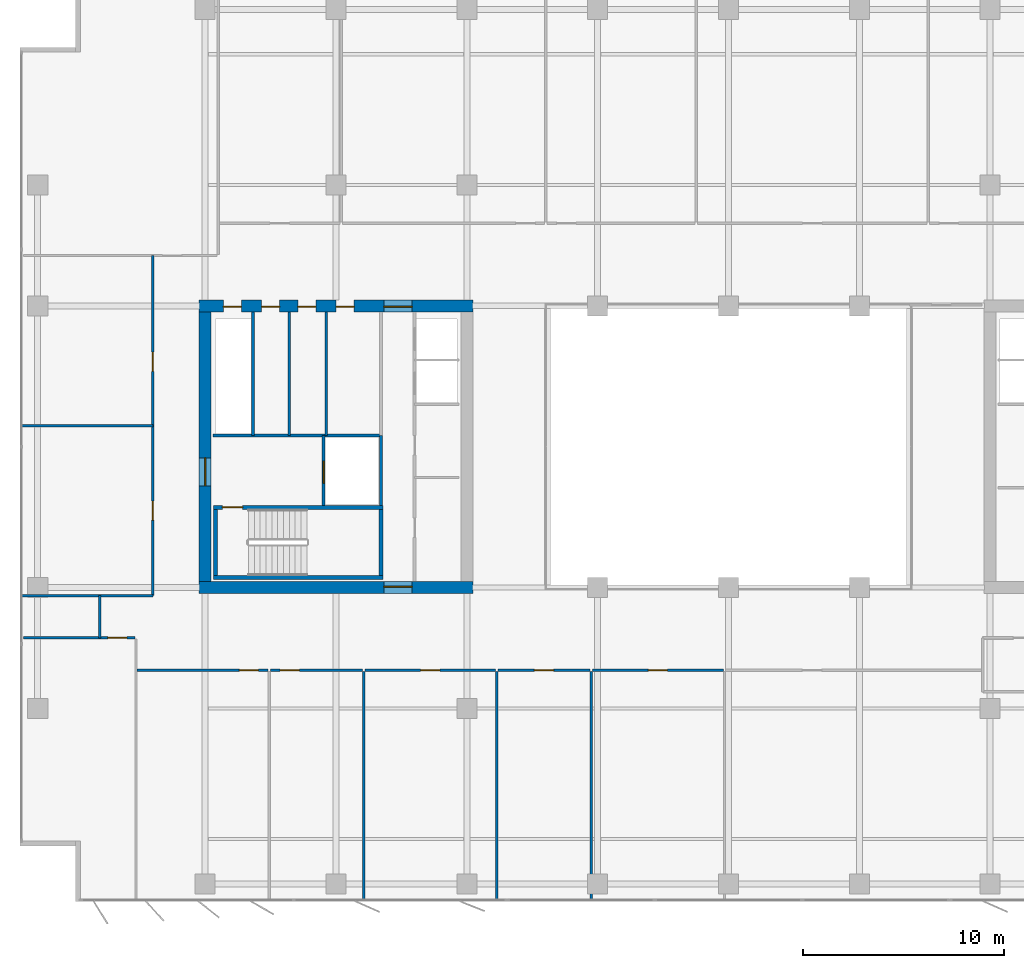
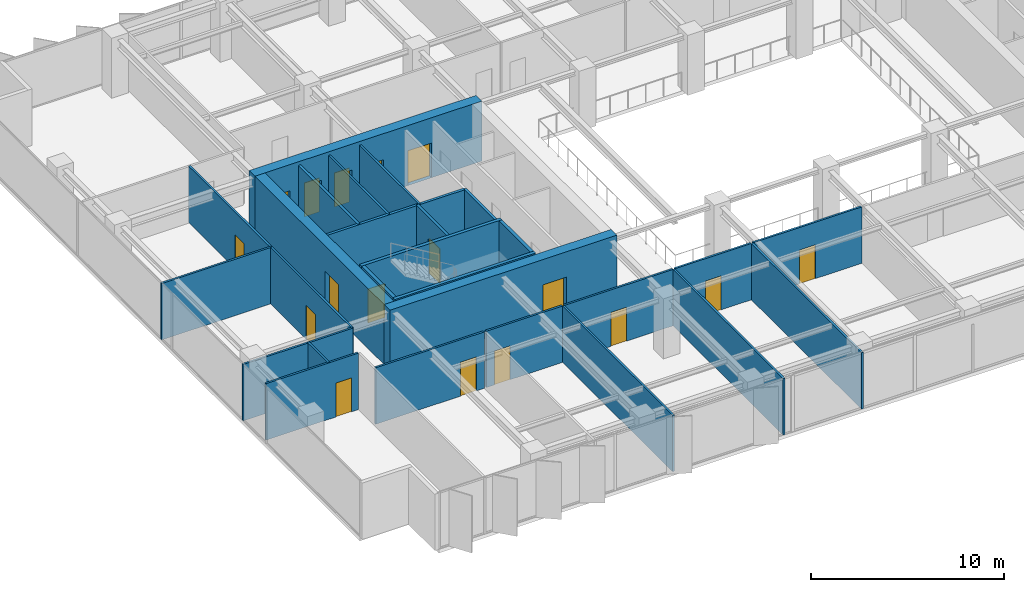
# One storey, part 15 of 22: 27 walls, 17 doors, 17 openings.
"""IFC4 building model written with IfcOpenShell, lengths in metres."""

from ifc_helpers import new_model, si_unit, direction, frame, frame_2d, origin, place, context, subcontext, project, spatial, rectangle, extrude, material, layer, layer_set, type_object, element, fill, save


model = new_model("IFC4")

# Units and contexts
model_context = context("Model", 3, precision=1e-05, world=origin(), true_north=direction((0.0, 1.0)))
body_context = subcontext(model_context, "Body", "Model", "MODEL_VIEW")
ifc_project = project(units=[si_unit("LENGTHUNIT", "METRE"), si_unit("AREAUNIT", "SQUARE_METRE"), si_unit("VOLUMEUNIT", "CUBIC_METRE"), si_unit("PLANEANGLEUNIT", "RADIAN"), si_unit("MASSUNIT", "GRAM", prefix="KILO")], contexts=[model_context])

# Site, building, storey
site_placement = place(None, origin())
site = spatial("IfcSite", under=ifc_project, at=site_placement, CompositionType="ELEMENT")
building_placement = place(site_placement, origin())
building = spatial("IfcBuilding", under=site, at=building_placement, Name="Putna Gate Headquarters", CompositionType="ELEMENT")
storey_placement = place(building_placement, frame((0.0, 0.0, 174.60009765625)))
storey = spatial("IfcBuildingStorey", under=building, at=storey_placement, Name="L43", CompositionType="ELEMENT", Elevation=174.60009765625)

# Wall, opening, door
ifc_material_1 = material(Name="Concrete C50/60", Category="concrete")
ifc_layer_1 = layer(ifc_material_1, 0.60009765625)
ifc_layer_set_1 = layer_set([ifc_layer_1], Name="Concrete C50/60")
wall_type_1 = type_object("IfcWallType", Name="WALL-CORE-600", PredefinedType="SHEAR", material=ifc_layer_set_1)
wall_1_placement = place(storey_placement, frame((12.699951171875, 19.0, 0.0), z_axis=(0.0, 0.0, 1.0), x_axis=(1.0, 0.0, 0.0)))
wall_1 = element("IfcWall", 1, at=wall_1_placement, inside=storey, type_object=wall_type_1, Name="L43 WC Split Core Shear Wall S", PredefinedType="SHEAR", context=body_context, shape_type="SweptSolid", body=[
    extrude(rectangle(XDim=13.60009765625, YDim=0.60009765625, at=frame_2d((6.800048828125, 0.0))), origin(), (0.0, 0.0, 1.0), 3.7998046875),
])
opening_1_placement = place(wall_1_placement, frame((9.179931640625, 0.0, 0.0)))
opening_1 = element("IfcOpeningElement", 2, at=opening_1_placement, cuts=wall_1, Name="Opening FDD-140", PredefinedType="OPENING", context=body_context, shape_type="SweptSolid", body=[
    extrude(rectangle(XDim=1.39990234375, YDim=2.199951171875, at=frame_2d((0.699951171875, 1.10009765625))), frame((0.0, 0.31005859375, 0.0), z_axis=(0.0, -1.0, 0.0), x_axis=(1.0, 0.0, 0.0)), (0.0, 0.0, 1.0), 0.6201171875),
])
ifc_material_2 = material(Name="Double steel fire door", Category="steel")
door_type_1 = type_object("IfcDoorType", Name="DOOR-FIRE-DBL-1400", OperationType="DOUBLE_DOOR_SINGLE_SWING", PredefinedType="DOOR", material=ifc_material_2)
door_1_placement = place(opening_1_placement, origin())
door_1 = element("IfcDoor", 3, at=door_1_placement, inside=storey, type_object=door_type_1, Name="L43 West Lift Lobby South Door", OperationType="DOUBLE_DOOR_SINGLE_SWING", OverallHeight=2.199951171875, OverallWidth=1.39990234375, PredefinedType="DOOR", context=body_context, shape_type="SweptSolid", body=[
    extrude(rectangle(XDim=1.39990234375, YDim=2.199951171875, at=frame_2d((0.699951171875, 1.10009765625))), frame((0.0, 0.0751953125, 0.0), z_axis=(0.0, -1.0, 0.0), x_axis=(1.0, 0.0, 0.0)), (0.0, 0.0, 1.0), 0.050048828125),
])
fill(opening_1, door_1)

# Wall, openings, doors
wall_2_placement = place(storey_placement, frame((12.699951171875, 33.0, 0.0), z_axis=(0.0, 0.0, 1.0), x_axis=(1.0, 0.0, 0.0)))
wall_2 = element("IfcWall", 4, at=wall_2_placement, inside=storey, type_object=wall_type_1, Name="L43 WC Split Core Shear Wall N", PredefinedType="SHEAR", context=body_context, shape_type="SweptSolid", body=[
    extrude(rectangle(XDim=13.60009765625, YDim=0.60009765625, at=frame_2d((6.800048828125, 0.0))), origin(), (0.0, 0.0, 1.0), 3.7998046875),
])
opening_2_placement = place(wall_2_placement, frame((1.199951171875, 0.0, 0.0)))
opening_2 = element("IfcOpeningElement", 5, at=opening_2_placement, cuts=wall_2, Name="Opening RD-90", PredefinedType="OPENING", context=body_context, shape_type="SweptSolid", body=[
    extrude(rectangle(XDim=0.89990234375, YDim=2.14990234375, at=frame_2d((0.449951171875, 1.074951171875))), frame((0.0, 0.31005859375, 0.0), z_axis=(0.0, -1.0, 0.0), x_axis=(1.0, 0.0, 0.0)), (0.0, 0.0, 1.0), 0.6201171875),
])
opening_3_placement = place(wall_2_placement, frame((3.10009765625, 0.0, 0.0)))
opening_3 = element("IfcOpeningElement", 6, at=opening_3_placement, cuts=wall_2, Name="Opening IDS-90", PredefinedType="OPENING", context=body_context, shape_type="SweptSolid", body=[
    extrude(rectangle(XDim=0.89990234375, YDim=2.14990234375, at=frame_2d((0.449951171875, 1.074951171875))), frame((0.0, 0.31005859375, 0.0), z_axis=(0.0, -1.0, 0.0), x_axis=(1.0, 0.0, 0.0)), (0.0, 0.0, 1.0), 0.6201171875),
])
opening_4_placement = place(wall_2_placement, frame((4.89990234375, 0.0, 0.0)))
opening_4 = element("IfcOpeningElement", 7, at=opening_4_placement, cuts=wall_2, Name="Opening IDS-90", PredefinedType="OPENING", context=body_context, shape_type="SweptSolid", body=[
    extrude(rectangle(XDim=0.89990234375, YDim=2.14990234375, at=frame_2d((0.449951171875, 1.074951171875))), frame((0.0, 0.31005859375, 0.0), z_axis=(0.0, -1.0, 0.0), x_axis=(1.0, 0.0, 0.0)), (0.0, 0.0, 1.0), 0.6201171875),
])
opening_5_placement = place(wall_2_placement, frame((6.800048828125, 0.0, 0.0)))
opening_5 = element("IfcOpeningElement", 8, at=opening_5_placement, cuts=wall_2, Name="Opening IDS-90", PredefinedType="OPENING", context=body_context, shape_type="SweptSolid", body=[
    extrude(rectangle(XDim=0.89990234375, YDim=2.14990234375, at=frame_2d((0.449951171875, 1.074951171875))), frame((0.0, 0.31005859375, 0.0), z_axis=(0.0, -1.0, 0.0), x_axis=(1.0, 0.0, 0.0)), (0.0, 0.0, 1.0), 0.6201171875),
])
opening_6_placement = place(wall_2_placement, frame((9.179931640625, 0.0, 0.0)))
opening_6 = element("IfcOpeningElement", 9, at=opening_6_placement, cuts=wall_2, Name="Opening FDD-140", PredefinedType="OPENING", context=body_context, shape_type="SweptSolid", body=[
    extrude(rectangle(XDim=1.39990234375, YDim=2.199951171875, at=frame_2d((0.699951171875, 1.10009765625))), frame((0.0, 0.31005859375, 0.0), z_axis=(0.0, -1.0, 0.0), x_axis=(1.0, 0.0, 0.0)), (0.0, 0.0, 1.0), 0.6201171875),
])
door_2_placement = place(opening_6_placement, origin())
door_2 = element("IfcDoor", 10, at=door_2_placement, inside=storey, type_object=door_type_1, Name="L43 West Lift Lobby North Door", OperationType="DOUBLE_DOOR_SINGLE_SWING", OverallHeight=2.199951171875, OverallWidth=1.39990234375, PredefinedType="DOOR", context=body_context, shape_type="SweptSolid", body=[
    extrude(rectangle(XDim=1.39990234375, YDim=2.199951171875, at=frame_2d((0.699951171875, 1.10009765625))), frame((0.0, -0.02490234375, 0.0), z_axis=(0.0, -1.0, 0.0), x_axis=(1.0, 0.0, 0.0)), (0.0, 0.0, 1.0), 0.050048828125),
])
fill(opening_6, door_2)
ifc_material_3 = material(Name="Fire-rated utility door")
door_type_2 = type_object("IfcDoorType", Name="DOOR-INT-900", OperationType="NOTDEFINED", PredefinedType="DOOR", material=ifc_material_3)
door_3_placement = place(opening_3_placement, origin())
door_3 = element("IfcDoor", 11, at=door_3_placement, inside=storey, type_object=door_type_2, Name="L43 Janitor Cupboard Door", OperationType="SINGLE_SWING_LEFT", OverallHeight=2.14990234375, OverallWidth=0.89990234375, PredefinedType="DOOR", context=body_context, shape_type="SweptSolid", body=[
    extrude(rectangle(XDim=0.89990234375, YDim=2.14990234375, at=frame_2d((0.449951171875, 1.074951171875))), frame((0.0, -0.02490234375, 0.0), z_axis=(0.0, -1.0, 0.0), x_axis=(1.0, 0.0, 0.0)), (0.0, 0.0, 1.0), 0.050048828125),
])
fill(opening_3, door_3)
door_4_placement = place(opening_4_placement, origin())
door_4 = element("IfcDoor", 12, at=door_4_placement, inside=storey, type_object=door_type_2, Name="L43 IT Patch Plant Door", OperationType="SINGLE_SWING_RIGHT", OverallHeight=2.14990234375, OverallWidth=0.89990234375, PredefinedType="DOOR", context=body_context, shape_type="SweptSolid", body=[
    extrude(rectangle(XDim=0.89990234375, YDim=2.14990234375, at=frame_2d((0.449951171875, 1.074951171875))), frame((0.0, -0.02490234375, 0.0), z_axis=(0.0, -1.0, 0.0), x_axis=(1.0, 0.0, 0.0)), (0.0, 0.0, 1.0), 0.050048828125),
])
fill(opening_4, door_4)
door_5_placement = place(opening_5_placement, origin())
door_5 = element("IfcDoor", 13, at=door_5_placement, inside=storey, type_object=door_type_2, Name="L43 Building Records Store Door", OperationType="SINGLE_SWING_LEFT", OverallHeight=2.14990234375, OverallWidth=0.89990234375, PredefinedType="DOOR", context=body_context, shape_type="SweptSolid", body=[
    extrude(rectangle(XDim=0.89990234375, YDim=2.14990234375, at=frame_2d((0.449951171875, 1.074951171875))), frame((0.0, -0.02490234375, 0.0), z_axis=(0.0, -1.0, 0.0), x_axis=(1.0, 0.0, 0.0)), (0.0, 0.0, 1.0), 0.050048828125),
])
fill(opening_5, door_5)
ifc_material_4 = material(Name="Steel riser access fire door", Category="steel")
door_type_3 = type_object("IfcDoorType", Name="DOOR-RISER-900", OperationType="NOTDEFINED", PredefinedType="DOOR", material=ifc_material_4)
door_6_placement = place(opening_2_placement, origin())
door_6 = element("IfcDoor", 14, at=door_6_placement, inside=storey, type_object=door_type_3, Name="L43 West Riser Access Door", OperationType="SINGLE_SWING_RIGHT", OverallHeight=2.14990234375, OverallWidth=0.89990234375, PredefinedType="DOOR", context=body_context, shape_type="SweptSolid", body=[
    extrude(rectangle(XDim=0.89990234375, YDim=2.14990234375, at=frame_2d((0.449951171875, 1.074951171875))), frame((0.0, -0.02490234375, 0.0), z_axis=(0.0, -1.0, 0.0), x_axis=(1.0, 0.0, 0.0)), (0.0, 0.0, 1.0), 0.050048828125),
])
fill(opening_2, door_6)

# Wall, opening, door
wall_3_placement = place(storey_placement, frame((13.0, 19.300048828125, 0.0), z_axis=(0.0, 0.0, 1.0), x_axis=(0.0, 1.0, 0.0)))
wall_3 = element("IfcWall", 15, at=wall_3_placement, inside=storey, type_object=wall_type_1, Name="L43 WC Split Core Shear Wall W", PredefinedType="SHEAR", context=body_context, shape_type="SweptSolid", body=[
    extrude(rectangle(XDim=13.39990234375, YDim=0.60009765625, at=frame_2d((6.699951171875, 0.0))), origin(), (0.0, 0.0, 1.0), 3.7998046875),
])
opening_7_placement = place(wall_3_placement, frame((4.75, 0.0, 0.0)))
opening_7 = element("IfcOpeningElement", 16, at=opening_7_placement, cuts=wall_3, Name="Opening FDD-140", PredefinedType="OPENING", context=body_context, shape_type="SweptSolid", body=[
    extrude(rectangle(XDim=1.39990234375, YDim=2.199951171875, at=frame_2d((0.699951171875, 1.10009765625))), frame((0.0, 0.31005859375, 0.0), z_axis=(0.0, -1.0, 0.0), x_axis=(1.0, 0.0, 0.0)), (0.0, 0.0, 1.0), 0.6201171875),
])
door_7_placement = place(opening_7_placement, origin())
door_7 = element("IfcDoor", 17, at=door_7_placement, inside=storey, type_object=door_type_1, Name="L43 West Firefighting Lobby Door", OperationType="DOUBLE_DOOR_SINGLE_SWING", OverallHeight=2.199951171875, OverallWidth=1.39990234375, PredefinedType="DOOR", context=body_context, shape_type="SweptSolid", body=[
    extrude(rectangle(XDim=1.39990234375, YDim=2.199951171875, at=frame_2d((0.699951171875, 1.10009765625))), frame((0.0, 0.02490234375, 0.0), z_axis=(0.0, -1.0, 0.0), x_axis=(1.0, 0.0, 0.0)), (0.0, 0.0, 1.0), 0.050048828125),
])
fill(opening_7, door_7)

# Walls
ifc_material_5 = material(Name="Acoustic gypsum board on metal stud")
ifc_layer_2 = layer(ifc_material_5, 0.1201171875)
ifc_layer_set_2 = layer_set([ifc_layer_2], Name="Acoustic gypsum board on metal stud")
wall_type_2 = type_object("IfcWallType", Name="WALL-PART-120", PredefinedType="PARTITIONING", material=ifc_layer_set_2)
for number, where, z_axis, x_axis, name in (
    (18, (20.872802734375, 3.419921875, 0.0), (0.0, 0.0, 1.0), (0.0, 1.0, 0.0), "L43 Interior Wall PART-L43-SB-DIV-03"),
    (19, (27.4921875, 3.419921875, 0.0), (0.0, 0.0, 1.0), (0.0, 1.0, 0.0), "L43 Interior Wall PART-L43-SB-DIV-04"),
    (20, (32.180908203125, 3.419921875, 0.0), (0.0, 0.0, 1.0), (0.0, 1.0, 0.0), "L43 Interior Wall PART-L43-SB-DIV-05"),
):
    element("IfcWall", number, at=place(storey_placement, frame(where, z_axis=z_axis, x_axis=x_axis)), inside=storey, type_object=wall_type_2, Name=name, PredefinedType="PARTITIONING", context=body_context, shape_type="SweptSolid", body=[
        extrude(rectangle(XDim=11.420166015625, YDim=0.1201171875, at=frame_2d((5.7099609375, 0.0))), origin(), (0.0, 0.0, 1.0), 3.572021484375),
    ])
wall_4_placement = place(storey_placement, frame((3.820068359375, 27.050048828125, 0.0), z_axis=(0.0, 0.0, 1.0), x_axis=(1.0, 0.0, 0.0)))
element("IfcWall", 21, at=wall_4_placement, inside=storey, type_object=wall_type_2, Name="L43 Interior Wall PART-L43-WW-DIV-1", PredefinedType="PARTITIONING", context=body_context, shape_type="SweptSolid", body=[
    extrude(rectangle(XDim=6.579833984375, YDim=0.1201171875, at=frame_2d((3.2900390625, 0.0))), origin(), (0.0, 0.0, 1.0), 3.572021484375),
])
ifc_material_6 = material(Name="Fire-rated gypsum board on metal stud")
ifc_layer_3 = layer(ifc_material_6, 0.1201171875)
ifc_layer_set_3 = layer_set([ifc_layer_3], Name="Fire-rated gypsum board on metal stud")
wall_type_3 = type_object("IfcWallType", Name="WALL-PART-120-RATED", PredefinedType="PARTITIONING", material=ifc_layer_set_3)
for number, where, z_axis, x_axis, name in (
    (22, (17.169921875, 26.56005859375, 0.0), (0.0, 0.0, 1.0), (0.0, 1.0, 0.0), "L43 Interior Wall CWINT-L43-WC-K2-D1"),
    (23, (19.02001953125, 26.56005859375, 0.0), (0.0, 0.0, 1.0), (0.0, 1.0, 0.0), "L43 Interior Wall CWINT-L43-WC-K2-D2"),
):
    element("IfcWall", number, at=place(storey_placement, frame(where, z_axis=z_axis, x_axis=x_axis)), inside=storey, type_object=wall_type_3, Name=name, PredefinedType="PARTITIONING", context=body_context, shape_type="SweptSolid", body=[
        extrude(rectangle(XDim=6.139892578125, YDim=0.1201171875, at=frame_2d((3.06982421875, 0.0))), origin(), (0.0, 0.0, 1.0), 3.572021484375),
    ])
wall_5_placement = place(storey_placement, frame((7.764892578125, 16.5, 0.0), z_axis=(0.0, 0.0, 1.0), x_axis=(0.0, 1.0, 0.0)))
element("IfcWall", 24, at=wall_5_placement, inside=storey, type_object=wall_type_3, Name="L43 Interior Wall PART-L43-CORRS-CAPW", PredefinedType="PARTITIONING", context=body_context, shape_type="SweptSolid", body=[
    extrude(rectangle(XDim=2.10009765625, YDim=0.1201171875, at=frame_2d((1.050048828125, 0.0))), origin(), (0.0, 0.0, 1.0), 3.572021484375),
])

# Wall, opening, door
wall_6_placement = place(storey_placement, frame((3.97998046875, 16.5, 0.0), z_axis=(0.0, 0.0, 1.0), x_axis=(1.0, 0.0, 0.0)))
wall_6 = element("IfcWall", 25, at=wall_6_placement, inside=storey, type_object=wall_type_3, Name="L43 Interior Wall PART-L43-SB-CW-01", PredefinedType="PARTITIONING", context=body_context, shape_type="SweptSolid", body=[
    extrude(rectangle(XDim=5.52490234375, YDim=0.1201171875, at=frame_2d((2.762451171875, 0.0))), origin(), (0.0, 0.0, 1.0), 3.572021484375),
])
opening_8_placement = place(wall_6_placement, frame((4.179931640625, 0.0, 0.0)))
opening_8 = element("IfcOpeningElement", 26, at=opening_8_placement, cuts=wall_6, Name="Opening FD-95", PredefinedType="OPENING", context=body_context, shape_type="SweptSolid", body=[
    extrude(rectangle(XDim=0.949951171875, YDim=2.14990234375, at=frame_2d((0.47509765625, 1.074951171875))), frame((0.0, 0.070068359375, 0.0), z_axis=(0.0, -1.0, 0.0), x_axis=(1.0, 0.0, 0.0)), (0.0, 0.0, 1.0), 0.14013671875),
])
ifc_material_7 = material(Name="Acoustic timber fire door", Category="wood")
door_type_4 = type_object("IfcDoorType", Name="DOOR-FIRE-950", OperationType="NOTDEFINED", PredefinedType="DOOR", material=ifc_material_7)
door_8_placement = place(opening_8_placement, origin())
door_8 = element("IfcDoor", 27, at=door_8_placement, inside=storey, type_object=door_type_4, Name="L43 Collaborative Breakout Lounge 1 Door", OperationType="SINGLE_SWING_RIGHT", OverallHeight=2.14990234375, OverallWidth=0.949951171875, PredefinedType="DOOR", context=body_context, shape_type="SweptSolid", body=[
    extrude(rectangle(XDim=0.949951171875, YDim=2.14990234375, at=frame_2d((0.47509765625, 1.074951171875))), frame((0.0, 0.02490234375, 0.0), z_axis=(0.0, -1.0, 0.0), x_axis=(1.0, 0.0, 0.0)), (0.0, 0.0, 1.0), 0.050048828125),
])
fill(opening_8, door_8)

wall_7_placement = place(storey_placement, frame((9.625, 14.89990234375, 0.0), z_axis=(0.0, 0.0, 1.0), x_axis=(1.0, 0.0, 0.0)))
wall_7 = element("IfcWall", 28, at=wall_7_placement, inside=storey, type_object=wall_type_3, Name="L43 Interior Wall PART-L43-SB-CW-02", PredefinedType="PARTITIONING", context=body_context, shape_type="SweptSolid", body=[
    extrude(rectangle(XDim=6.499267578125, YDim=0.1201171875, at=frame_2d((3.24951171875, 0.0))), origin(), (0.0, 0.0, 1.0), 3.572021484375),
])
opening_9_placement = place(wall_7_placement, frame((5.069091796875, 0.0, 0.0)))
opening_9 = element("IfcOpeningElement", 29, at=opening_9_placement, cuts=wall_7, Name="Opening FD-95", PredefinedType="OPENING", context=body_context, shape_type="SweptSolid", body=[
    extrude(rectangle(XDim=0.949951171875, YDim=2.14990234375, at=frame_2d((0.47509765625, 1.074951171875))), frame((0.0, 0.070068359375, 0.0), z_axis=(0.0, -1.0, 0.0), x_axis=(1.0, 0.0, 0.0)), (0.0, 0.0, 1.0), 0.14013671875),
])
door_9_placement = place(opening_9_placement, origin())
door_9 = element("IfcDoor", 30, at=door_9_placement, inside=storey, type_object=door_type_4, Name="L43 Cellular Office 5 Door", OperationType="SINGLE_SWING_LEFT", OverallHeight=2.14990234375, OverallWidth=0.949951171875, PredefinedType="DOOR", context=body_context, shape_type="SweptSolid", body=[
    extrude(rectangle(XDim=0.949951171875, YDim=2.14990234375, at=frame_2d((0.47509765625, 1.074951171875))), frame((0.0, 0.02490234375, 0.0), z_axis=(0.0, -1.0, 0.0), x_axis=(1.0, 0.0, 0.0)), (0.0, 0.0, 1.0), 0.050048828125),
])
fill(opening_9, door_9)

wall_8_placement = place(storey_placement, frame((16.244140625, 14.89990234375, 0.0), z_axis=(0.0, 0.0, 1.0), x_axis=(1.0, 0.0, 0.0)))
wall_8 = element("IfcWall", 31, at=wall_8_placement, inside=storey, type_object=wall_type_3, Name="L43 Interior Wall PART-L43-SB-CW-03", PredefinedType="PARTITIONING", context=body_context, shape_type="SweptSolid", body=[
    extrude(rectangle(XDim=4.56884765625, YDim=0.1201171875, at=frame_2d((2.284423828125, 0.0))), origin(), (0.0, 0.0, 1.0), 3.572021484375),
])
opening_10_placement = place(wall_8_placement, frame((0.47998046875, 0.0, 0.0)))
opening_10 = element("IfcOpeningElement", 32, at=opening_10_placement, cuts=wall_8, Name="Opening FD-95", PredefinedType="OPENING", context=body_context, shape_type="SweptSolid", body=[
    extrude(rectangle(XDim=0.949951171875, YDim=2.14990234375, at=frame_2d((0.47509765625, 1.074951171875))), frame((0.0, 0.070068359375, 0.0), z_axis=(0.0, -1.0, 0.0), x_axis=(1.0, 0.0, 0.0)), (0.0, 0.0, 1.0), 0.14013671875),
])
door_10_placement = place(opening_10_placement, origin())
door_10 = element("IfcDoor", 33, at=door_10_placement, inside=storey, type_object=door_type_4, Name="L43 Cellular Office 6 Door", OperationType="SINGLE_SWING_RIGHT", OverallHeight=2.14990234375, OverallWidth=0.949951171875, PredefinedType="DOOR", context=body_context, shape_type="SweptSolid", body=[
    extrude(rectangle(XDim=0.949951171875, YDim=2.14990234375, at=frame_2d((0.47509765625, 1.074951171875))), frame((0.0, 0.02490234375, 0.0), z_axis=(0.0, -1.0, 0.0), x_axis=(1.0, 0.0, 0.0)), (0.0, 0.0, 1.0), 0.050048828125),
])
fill(opening_10, door_10)

wall_9_placement = place(storey_placement, frame((20.932861328125, 14.89990234375, 0.0), z_axis=(0.0, 0.0, 1.0), x_axis=(1.0, 0.0, 0.0)))
wall_9 = element("IfcWall", 34, at=wall_9_placement, inside=storey, type_object=wall_type_3, Name="L43 Interior Wall PART-L43-SB-CW-04", PredefinedType="PARTITIONING", context=body_context, shape_type="SweptSolid", body=[
    extrude(rectangle(XDim=6.499267578125, YDim=0.1201171875, at=frame_2d((3.24951171875, 0.0))), origin(), (0.0, 0.0, 1.0), 3.572021484375),
])
opening_11_placement = place(wall_9_placement, frame((2.774658203125, 0.0, 0.0)))
opening_11 = element("IfcOpeningElement", 35, at=opening_11_placement, cuts=wall_9, Name="Opening FD-95", PredefinedType="OPENING", context=body_context, shape_type="SweptSolid", body=[
    extrude(rectangle(XDim=0.949951171875, YDim=2.14990234375, at=frame_2d((0.47509765625, 1.074951171875))), frame((0.0, 0.070068359375, 0.0), z_axis=(0.0, -1.0, 0.0), x_axis=(1.0, 0.0, 0.0)), (0.0, 0.0, 1.0), 0.14013671875),
])
door_11_placement = place(opening_11_placement, origin())
door_11 = element("IfcDoor", 36, at=door_11_placement, inside=storey, type_object=door_type_4, Name="L43 Conference Meeting Room 1 Door", OperationType="SINGLE_SWING_LEFT", OverallHeight=2.14990234375, OverallWidth=0.949951171875, PredefinedType="DOOR", context=body_context, shape_type="SweptSolid", body=[
    extrude(rectangle(XDim=0.949951171875, YDim=2.14990234375, at=frame_2d((0.47509765625, 1.074951171875))), frame((0.0, 0.02490234375, 0.0), z_axis=(0.0, -1.0, 0.0), x_axis=(1.0, 0.0, 0.0)), (0.0, 0.0, 1.0), 0.050048828125),
])
fill(opening_11, door_11)

wall_10_placement = place(storey_placement, frame((27.552001953125, 14.89990234375, 0.0), z_axis=(0.0, 0.0, 1.0), x_axis=(1.0, 0.0, 0.0)))
wall_10 = element("IfcWall", 37, at=wall_10_placement, inside=storey, type_object=wall_type_3, Name="L43 Interior Wall PART-L43-SB-CW-05", PredefinedType="PARTITIONING", context=body_context, shape_type="SweptSolid", body=[
    extrude(rectangle(XDim=4.56884765625, YDim=0.1201171875, at=frame_2d((2.284423828125, 0.0))), origin(), (0.0, 0.0, 1.0), 3.572021484375),
])
opening_12_placement = place(wall_10_placement, frame((1.809326171875, 0.0, 0.0)))
opening_12 = element("IfcOpeningElement", 38, at=opening_12_placement, cuts=wall_10, Name="Opening FD-95", PredefinedType="OPENING", context=body_context, shape_type="SweptSolid", body=[
    extrude(rectangle(XDim=0.949951171875, YDim=2.14990234375, at=frame_2d((0.47509765625, 1.074951171875))), frame((0.0, 0.070068359375, 0.0), z_axis=(0.0, -1.0, 0.0), x_axis=(1.0, 0.0, 0.0)), (0.0, 0.0, 1.0), 0.14013671875),
])
door_12_placement = place(opening_12_placement, origin())
door_12 = element("IfcDoor", 39, at=door_12_placement, inside=storey, type_object=door_type_4, Name="L43 Conference Meeting Room 2 Door", OperationType="SINGLE_SWING_RIGHT", OverallHeight=2.14990234375, OverallWidth=0.949951171875, PredefinedType="DOOR", context=body_context, shape_type="SweptSolid", body=[
    extrude(rectangle(XDim=0.949951171875, YDim=2.14990234375, at=frame_2d((0.47509765625, 1.074951171875))), frame((0.0, 0.02490234375, 0.0), z_axis=(0.0, -1.0, 0.0), x_axis=(1.0, 0.0, 0.0)), (0.0, 0.0, 1.0), 0.050048828125),
])
fill(opening_12, door_12)

wall_11_placement = place(storey_placement, frame((32.24072265625, 14.89990234375, 0.0), z_axis=(0.0, 0.0, 1.0), x_axis=(1.0, 0.0, 0.0)))
wall_11 = element("IfcWall", 40, at=wall_11_placement, inside=storey, type_object=wall_type_3, Name="L43 Interior Wall PART-L43-SB-CW-06", PredefinedType="PARTITIONING", context=body_context, shape_type="SweptSolid", body=[
    extrude(rectangle(XDim=6.499267578125, YDim=0.1201171875, at=frame_2d((3.24951171875, 0.0))), origin(), (0.0, 0.0, 1.0), 3.572021484375),
])
opening_13_placement = place(wall_11_placement, frame((2.774658203125, 0.0, 0.0)))
opening_13 = element("IfcOpeningElement", 41, at=opening_13_placement, cuts=wall_11, Name="Opening FD-95", PredefinedType="OPENING", context=body_context, shape_type="SweptSolid", body=[
    extrude(rectangle(XDim=0.949951171875, YDim=2.14990234375, at=frame_2d((0.47509765625, 1.074951171875))), frame((0.0, 0.070068359375, 0.0), z_axis=(0.0, -1.0, 0.0), x_axis=(1.0, 0.0, 0.0)), (0.0, 0.0, 1.0), 0.14013671875),
])
door_13_placement = place(opening_13_placement, origin())
door_13 = element("IfcDoor", 42, at=door_13_placement, inside=storey, type_object=door_type_4, Name="L43 Conference Meeting Room 3 Door", OperationType="SINGLE_SWING_LEFT", OverallHeight=2.14990234375, OverallWidth=0.949951171875, PredefinedType="DOOR", context=body_context, shape_type="SweptSolid", body=[
    extrude(rectangle(XDim=0.949951171875, YDim=2.14990234375, at=frame_2d((0.47509765625, 1.074951171875))), frame((0.0, 0.02490234375, 0.0), z_axis=(0.0, -1.0, 0.0), x_axis=(1.0, 0.0, 0.0)), (0.0, 0.0, 1.0), 0.050048828125),
])
fill(opening_13, door_13)

# Wall
wall_12_placement = place(storey_placement, frame((3.820068359375, 18.60009765625, 0.0), z_axis=(0.0, 0.0, 1.0), x_axis=(1.0, 0.0, 0.0)))
element("IfcWall", 43, at=wall_12_placement, inside=storey, type_object=wall_type_3, Name="L43 Interior Wall PART-L43-WW-S-BOUND", PredefinedType="PARTITIONING", context=body_context, shape_type="SweptSolid", body=[
    extrude(rectangle(XDim=6.579833984375, YDim=0.1201171875, at=frame_2d((3.2900390625, 0.0))), origin(), (0.0, 0.0, 1.0), 3.572021484375),
])

# Wall, opening, door
wall_13_placement = place(storey_placement, frame((10.39990234375, 18.60009765625, 0.0), z_axis=(0.0, 0.0, 1.0), x_axis=(0.0, 1.0, 0.0)))
wall_13 = element("IfcWall", 44, at=wall_13_placement, inside=storey, type_object=wall_type_3, Name="L43 Interior Wall PART-L43-WW-CW-1", PredefinedType="PARTITIONING", context=body_context, shape_type="SweptSolid", body=[
    extrude(rectangle(XDim=8.449951171875, YDim=0.1201171875, at=frame_2d((4.22509765625, 0.0))), origin(), (0.0, 0.0, 1.0), 3.572021484375),
])
opening_14_placement = place(wall_13_placement, frame((3.75, 0.0, 0.0)))
opening_14 = element("IfcOpeningElement", 45, at=opening_14_placement, cuts=wall_13, Name="Opening FD-95", PredefinedType="OPENING", context=body_context, shape_type="SweptSolid", body=[
    extrude(rectangle(XDim=0.949951171875, YDim=2.14990234375, at=frame_2d((0.47509765625, 1.074951171875))), frame((0.0, 0.070068359375, 0.0), z_axis=(0.0, -1.0, 0.0), x_axis=(1.0, 0.0, 0.0)), (0.0, 0.0, 1.0), 0.14013671875),
])
door_14_placement = place(opening_14_placement, origin())
door_14 = element("IfcDoor", 46, at=door_14_placement, inside=storey, type_object=door_type_4, Name="L43 West Project Meeting Room 1 Door", OperationType="SINGLE_SWING_RIGHT", OverallHeight=2.14990234375, OverallWidth=0.949951171875, PredefinedType="DOOR", context=body_context, shape_type="SweptSolid", body=[
    extrude(rectangle(XDim=0.949951171875, YDim=2.14990234375, at=frame_2d((0.47509765625, 1.074951171875))), frame((0.0, 0.02490234375, 0.0), z_axis=(0.0, -1.0, 0.0), x_axis=(1.0, 0.0, 0.0)), (0.0, 0.0, 1.0), 0.050048828125),
])
fill(opening_14, door_14)

wall_14_placement = place(storey_placement, frame((10.39990234375, 27.050048828125, 0.0), z_axis=(0.0, 0.0, 1.0), x_axis=(0.0, 1.0, 0.0)))
wall_14 = element("IfcWall", 47, at=wall_14_placement, inside=storey, type_object=wall_type_3, Name="L43 Interior Wall PART-L43-WW-CW-2", PredefinedType="PARTITIONING", context=body_context, shape_type="SweptSolid", body=[
    extrude(rectangle(XDim=8.449951171875, YDim=0.1201171875, at=frame_2d((4.22509765625, 0.0))), origin(), (0.0, 0.0, 1.0), 3.572021484375),
])
opening_15_placement = place(wall_14_placement, frame((2.699951171875, 0.0, 0.0)))
opening_15 = element("IfcOpeningElement", 48, at=opening_15_placement, cuts=wall_14, Name="Opening FD-95", PredefinedType="OPENING", context=body_context, shape_type="SweptSolid", body=[
    extrude(rectangle(XDim=0.949951171875, YDim=2.14990234375, at=frame_2d((0.47509765625, 1.074951171875))), frame((0.0, 0.070068359375, 0.0), z_axis=(0.0, -1.0, 0.0), x_axis=(1.0, 0.0, 0.0)), (0.0, 0.0, 1.0), 0.14013671875),
])
door_15_placement = place(opening_15_placement, origin())
door_15 = element("IfcDoor", 49, at=door_15_placement, inside=storey, type_object=door_type_4, Name="L43 West Project Meeting Room 2 Door", OperationType="SINGLE_SWING_LEFT", OverallHeight=2.14990234375, OverallWidth=0.949951171875, PredefinedType="DOOR", context=body_context, shape_type="SweptSolid", body=[
    extrude(rectangle(XDim=0.949951171875, YDim=2.14990234375, at=frame_2d((0.47509765625, 1.074951171875))), frame((0.0, 0.02490234375, 0.0), z_axis=(0.0, -1.0, 0.0), x_axis=(1.0, 0.0, 0.0)), (0.0, 0.0, 1.0), 0.050048828125),
])
fill(opening_15, door_15)

# Wall
ifc_material_8 = material(Name="Concrete C40/50", Category="concrete")
ifc_layer_4 = layer(ifc_material_8, 0.159912109375)
ifc_layer_set_4 = layer_set([ifc_layer_4], Name="Concrete C40/50")
wall_type_4 = type_object("IfcWallType", Name="WALL-SHAFT-160", PredefinedType="STANDARD", material=ifc_layer_set_4)
wall_15_placement = place(storey_placement, frame((21.739990234375, 23.090087890625, 0.0), z_axis=(0.0, 0.0, 1.0), x_axis=(0.0, 1.0, 0.0)))
element("IfcWall", 50, at=wall_15_placement, inside=storey, type_object=wall_type_4, Name="L43 Interior Wall CWINT-L43-WC-FFL-E", PredefinedType="STANDARD", context=body_context, shape_type="SweptSolid", body=[
    extrude(rectangle(XDim=3.469970703125, YDim=0.159912109375, at=frame_2d((1.73486328125, 0.0))), origin(), (0.0, 0.0, 1.0), 3.572021484375),
])

# Wall, opening, door
wall_16_placement = place(storey_placement, frame((18.8798828125, 23.090087890625, 0.0), z_axis=(0.0, 0.0, 1.0), x_axis=(0.0, 1.0, 0.0)))
wall_16 = element("IfcWall", 51, at=wall_16_placement, inside=storey, type_object=wall_type_4, Name="L43 Interior Wall CWINT-L43-WC-LF13-W", PredefinedType="STANDARD", context=body_context, shape_type="SweptSolid", body=[
    extrude(rectangle(XDim=3.469970703125, YDim=0.159912109375, at=frame_2d((1.73486328125, 0.0))), origin(), (0.0, 0.0, 1.0), 3.572021484375),
])
opening_16_placement = place(wall_16_placement, frame((1.10009765625, 0.0, 0.0)))
opening_16 = element("IfcOpeningElement", 52, at=opening_16_placement, cuts=wall_16, Name="Opening LD-1", PredefinedType="OPENING", context=body_context, shape_type="SweptSolid", body=[
    extrude(rectangle(XDim=1.10009765625, YDim=2.199951171875, at=frame_2d((0.550048828125, 1.10009765625))), frame((0.0, 0.08984375, 0.0), z_axis=(0.0, -1.0, 0.0), x_axis=(1.0, 0.0, 0.0)), (0.0, 0.0, 1.0), 0.179931640625),
])
ifc_material_9 = material(Name="Brushed bronze stainless lift landing door")
door_type_5 = type_object("IfcDoorType", Name="DOOR-LIFT-1100", OperationType="DOUBLE_DOOR_SLIDING", PredefinedType="DOOR", material=ifc_material_9)
door_16_placement = place(opening_16_placement, origin())
door_16 = element("IfcDoor", 53, at=door_16_placement, inside=storey, type_object=door_type_5, Name="L43 Lift Landing Door LD-13", OperationType="DOUBLE_DOOR_SLIDING", OverallHeight=2.199951171875, OverallWidth=1.10009765625, PredefinedType="DOOR", context=body_context, shape_type="SweptSolid", body=[
    extrude(rectangle(XDim=1.10009765625, YDim=2.199951171875, at=frame_2d((0.550048828125, 1.10009765625))), frame((0.0, 0.02490234375, 0.0), z_axis=(0.0, -1.0, 0.0), x_axis=(1.0, 0.0, 0.0)), (0.0, 0.0, 1.0), 0.050048828125),
])
fill(opening_16, door_16)

# Walls
wall_17_placement = place(storey_placement, frame((13.39990234375, 26.56005859375, 0.0), z_axis=(0.0, 0.0, 1.0), x_axis=(1.0, 0.0, 0.0)))
element("IfcWall", 54, at=wall_17_placement, inside=storey, type_object=wall_type_4, Name="L43 Interior Wall CWINT-L43-WC-FFL-N", PredefinedType="STANDARD", context=body_context, shape_type="SweptSolid", body=[
    extrude(rectangle(XDim=8.340087890625, YDim=0.159912109375, at=frame_2d((4.169921875, 0.0))), origin(), (0.0, 0.0, 1.0), 3.572021484375),
])
wall_18_placement = place(storey_placement, frame((15.3798828125, 26.56005859375, 0.0), z_axis=(0.0, 0.0, 1.0), x_axis=(0.0, 1.0, 0.0)))
element("IfcWall", 55, at=wall_18_placement, inside=storey, type_object=wall_type_4, Name="L43 Interior Wall CWINT-L43-WC-RISER-E", PredefinedType="STANDARD", context=body_context, shape_type="SweptSolid", body=[
    extrude(rectangle(XDim=6.139892578125, YDim=0.159912109375, at=frame_2d((3.06982421875, 0.0))), origin(), (0.0, 0.0, 1.0), 3.572021484375),
])
ifc_layer_5 = layer(ifc_material_8, 0.199951171875)
ifc_layer_set_5 = layer_set([ifc_layer_5], Name="Concrete C40/50")
wall_type_5 = type_object("IfcWallType", Name="WALL-SHAFT-RC200", PredefinedType="SHEAR", material=ifc_layer_set_5)
wall_19_placement = place(storey_placement, frame((13.409912109375, 19.510009765625, 0.0), z_axis=(0.0, 0.0, 1.0), x_axis=(1.0, 0.0, 0.0)))
element("IfcWall", 56, at=wall_19_placement, inside=storey, type_object=wall_type_5, Name="L43 Stair ST1 Structural Shaft Wall S", PredefinedType="SHEAR", context=body_context, shape_type="SweptSolid", body=[
    extrude(rectangle(XDim=8.43017578125, YDim=0.199951171875, at=frame_2d((4.215087890625, 0.0))), origin(), (0.0, 0.0, 1.0), 3.7998046875),
])

# Wall, opening, door
wall_20_placement = place(storey_placement, frame((13.409912109375, 22.989990234375, 0.0), z_axis=(0.0, 0.0, 1.0), x_axis=(1.0, 0.0, 0.0)))
wall_20 = element("IfcWall", 57, at=wall_20_placement, inside=storey, type_object=wall_type_5, Name="L43 Stair ST1 Structural Shaft Wall N", PredefinedType="SHEAR", context=body_context, shape_type="SweptSolid", body=[
    extrude(rectangle(XDim=8.43017578125, YDim=0.199951171875, at=frame_2d((4.215087890625, 0.0))), origin(), (0.0, 0.0, 1.0), 3.7998046875),
])
opening_17_placement = place(wall_20_placement, frame((0.449951171875, 0.0, 0.0)))
opening_17 = element("IfcOpeningElement", 58, at=opening_17_placement, cuts=wall_20, Name="Opening FD-100", PredefinedType="OPENING", context=body_context, shape_type="SweptSolid", body=[
    extrude(rectangle(XDim=1.0, YDim=2.14990234375, at=frame_2d((0.5, 1.074951171875))), frame((0.0, 0.10986328125, 0.0), z_axis=(0.0, -1.0, 0.0), x_axis=(1.0, 0.0, 0.0)), (0.0, 0.0, 1.0), 0.219970703125),
])
ifc_material_10 = material(Name="Powder-coated steel fire door", Category="steel")
door_type_6 = type_object("IfcDoorType", Name="DOOR-FIRE-1000", OperationType="NOTDEFINED", PredefinedType="DOOR", material=ifc_material_10)
door_17_placement = place(opening_17_placement, origin())
door_17 = element("IfcDoor", 59, at=door_17_placement, inside=storey, type_object=door_type_6, Name="L43 Stair ST1 Fire Door", OperationType="SINGLE_SWING_LEFT", OverallHeight=2.14990234375, OverallWidth=1.0, PredefinedType="DOOR", context=body_context, shape_type="SweptSolid", body=[
    extrude(rectangle(XDim=1.0, YDim=2.14990234375, at=frame_2d((0.5, 1.074951171875))), frame((0.0, 0.02490234375, 0.0), z_axis=(0.0, -1.0, 0.0), x_axis=(1.0, 0.0, 0.0)), (0.0, 0.0, 1.0), 0.050048828125),
])
fill(opening_17, door_17)

# Walls
for number, where, z_axis, x_axis, name in (
    (60, (13.510009765625, 19.610107421875, 0.0), (0.0, 0.0, 1.0), (0.0, 1.0, 0.0), "L43 Stair ST1 Structural Shaft Wall W"),
    (61, (21.739990234375, 19.610107421875, 0.0), (0.0, 0.0, 1.0), (0.0, 1.0, 0.0), "L43 Stair ST1 Structural Shaft Wall E"),
):
    element("IfcWall", number, at=place(storey_placement, frame(where, z_axis=z_axis, x_axis=x_axis)), inside=storey, type_object=wall_type_5, Name=name, PredefinedType="SHEAR", context=body_context, shape_type="SweptSolid", body=[
        extrude(rectangle(XDim=3.27978515625, YDim=0.199951171875, at=frame_2d((1.639892578125, 0.0))), origin(), (0.0, 0.0, 1.0), 3.7998046875),
    ])

save(model, "model.ifc")
